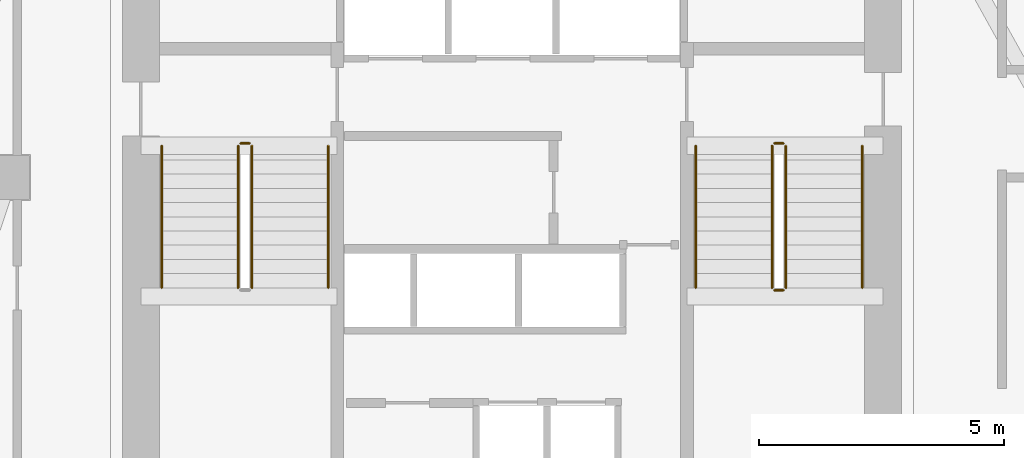
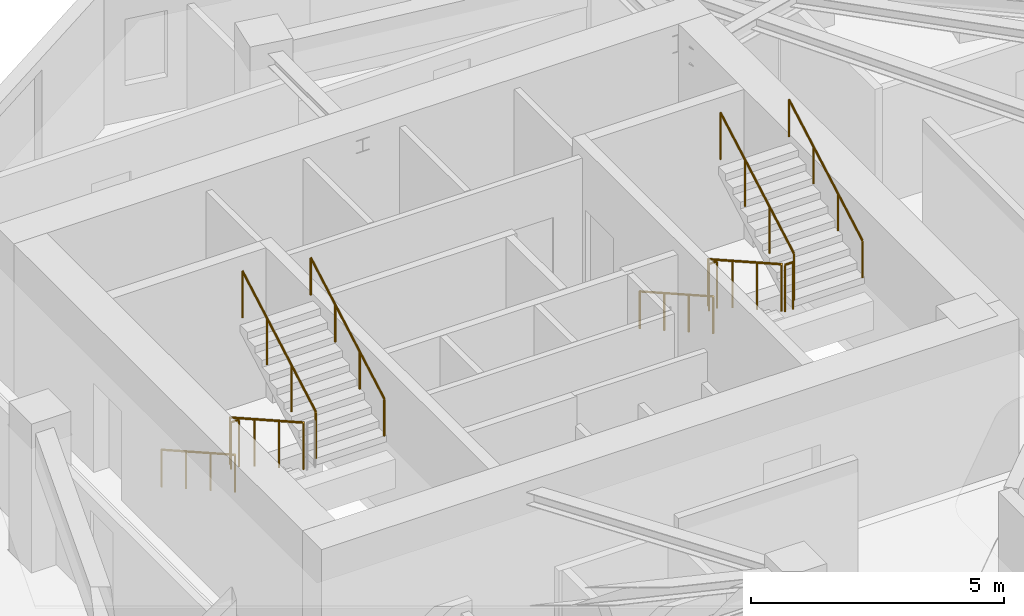
# One storey, part 12 of 12: 11 railings.
"""IFC4 building model written with IfcOpenShell, lengths in metres."""

from ifc_helpers import new_model, si_unit, direction, frame, origin, origin_2d, place, context, subcontext, project, spatial, circle, extrude, material, type_object, element, save


model = new_model("IFC4")

# Units and contexts
model_context = context("Model", 3, precision=1e-05, world=origin(), true_north=direction((0.0, 1.0)))
body_context = subcontext(model_context, "Body", "Model", "MODEL_VIEW")
ifc_project = project(units=[si_unit("LENGTHUNIT", "METRE"), si_unit("AREAUNIT", "SQUARE_METRE"), si_unit("VOLUMEUNIT", "CUBIC_METRE"), si_unit("PLANEANGLEUNIT", "RADIAN"), si_unit("MASSUNIT", "GRAM", prefix="KILO")], contexts=[model_context])

# Site, building, storey
site_placement = place(None, origin())
site = spatial("IfcSite", under=ifc_project, at=site_placement, CompositionType="ELEMENT")
building_placement = place(site_placement, origin())
building = spatial("IfcBuilding", under=site, at=building_placement, Name="Calvemar Wedge Station Tower", CompositionType="ELEMENT")
storey_placement = place(building_placement, frame((0.0, 0.0, 121.39990234375)))
storey = spatial("IfcBuildingStorey", under=building, at=storey_placement, Name="L29", CompositionType="ELEMENT", Elevation=121.39990234375)

# Railings
ifc_material_1 = material(Name="Stainless steel AISI 316L", Category="steel")
railing_type_1 = type_object("IfcRailingType", Name="RL-HANDRAIL-920", PredefinedType="HANDRAIL", material=ifc_material_1)
railing_1_placement = place(storey_placement, frame((16.64990234375, 41.14990234375, 0.163818359375)))
element("IfcRailing", 1, at=railing_1_placement, inside=storey, type_object=railing_type_1, Name="L29 ST-C1 stair handrail 1", PredefinedType="HANDRAIL", context=body_context, shape_type="SweptSolid", body=[
    extrude(circle(Radius=0.02392578125, at=origin_2d()), frame((0.0, 0.0, 0.89599609375), z_axis=(0.0, -0.870928581787, 0.491409610636), x_axis=(1.0, 0.0, 0.0)), (0.0, 0.0, 1.0), 3.32958984375),
    extrude(circle(Radius=0.02099609375, at=origin_2d()), origin(), (0.0, 0.0, 1.0), 0.871826171875),
    extrude(circle(Radius=0.02099609375, at=origin_2d()), frame((0.0, -0.966552734375, 0.54541015625)), (0.0, 0.0, 1.0), 0.871826171875),
    extrude(circle(Radius=0.02099609375, at=origin_2d()), frame((0.0, -1.933349609375, 1.0908203125)), (0.0, 0.0, 1.0), 0.871826171875),
    extrude(circle(Radius=0.02099609375, at=origin_2d()), frame((0.0, -2.89990234375, 1.63623046875)), (0.0, 0.0, 1.0), 0.871826171875),
])
railing_2_placement = place(storey_placement, frame((20.050048828125, 38.25, 1.963623046875)))
element("IfcRailing", 2, at=railing_2_placement, inside=storey, type_object=railing_type_1, Name="L29 ST-C1 stair handrail 2", PredefinedType="HANDRAIL", context=body_context, shape_type="SweptSolid", body=[
    extrude(circle(Radius=0.02392578125, at=origin_2d()), frame((0.0, 0.0, 0.89599609375), z_axis=(0.0, 0.870897200241, 0.491465224214), x_axis=(-1.0, 0.0, 0.0)), (0.0, 0.0, 1.0), 3.329833984375),
    extrude(circle(Radius=0.02099609375, at=origin_2d()), origin(), (0.0, 0.0, 1.0), 0.871826171875),
    extrude(circle(Radius=0.02099609375, at=origin_2d()), frame((0.0, 0.966552734375, 0.54541015625)), (0.0, 0.0, 1.0), 0.871826171875),
    extrude(circle(Radius=0.02099609375, at=origin_2d()), frame((0.0, 1.933349609375, 1.091064453125)), (0.0, 0.0, 1.0), 0.871826171875),
    extrude(circle(Radius=0.02099609375, at=origin_2d()), frame((0.0, 2.89990234375, 1.636474609375)), (0.0, 0.0, 1.0), 0.871826171875),
])
railing_3_placement = place(storey_placement, frame((27.550048828125, 41.14990234375, 0.163818359375)))
element("IfcRailing", 3, at=railing_3_placement, inside=storey, type_object=railing_type_1, Name="L29 ST-C2 stair handrail 1", PredefinedType="HANDRAIL", context=body_context, shape_type="SweptSolid", body=[
    extrude(circle(Radius=0.02392578125, at=origin_2d()), frame((0.0, 0.0, 0.89599609375), z_axis=(0.0, -0.870928581787, 0.491409610636), x_axis=(1.0, 0.0, 0.0)), (0.0, 0.0, 1.0), 3.32958984375),
    extrude(circle(Radius=0.02099609375, at=origin_2d()), origin(), (0.0, 0.0, 1.0), 0.871826171875),
    extrude(circle(Radius=0.02099609375, at=origin_2d()), frame((0.0, -0.966552734375, 0.54541015625)), (0.0, 0.0, 1.0), 0.871826171875),
    extrude(circle(Radius=0.02099609375, at=origin_2d()), frame((0.0, -1.933349609375, 1.0908203125)), (0.0, 0.0, 1.0), 0.871826171875),
    extrude(circle(Radius=0.02099609375, at=origin_2d()), frame((0.0, -2.89990234375, 1.63623046875)), (0.0, 0.0, 1.0), 0.871826171875),
])
railing_4_placement = place(storey_placement, frame((30.949951171875, 38.25, 1.963623046875)))
element("IfcRailing", 4, at=railing_4_placement, inside=storey, type_object=railing_type_1, Name="L29 ST-C2 stair handrail 2", PredefinedType="HANDRAIL", context=body_context, shape_type="SweptSolid", body=[
    extrude(circle(Radius=0.02392578125, at=origin_2d()), frame((0.0, 0.0, 0.89599609375), z_axis=(0.0, 0.870897200241, 0.491465224214), x_axis=(-1.0, 0.0, 0.0)), (0.0, 0.0, 1.0), 3.329833984375),
    extrude(circle(Radius=0.02099609375, at=origin_2d()), origin(), (0.0, 0.0, 1.0), 0.871826171875),
    extrude(circle(Radius=0.02099609375, at=origin_2d()), frame((0.0, 0.966552734375, 0.54541015625)), (0.0, 0.0, 1.0), 0.871826171875),
    extrude(circle(Radius=0.02099609375, at=origin_2d()), frame((0.0, 1.933349609375, 1.091064453125)), (0.0, 0.0, 1.0), 0.871826171875),
    extrude(circle(Radius=0.02099609375, at=origin_2d()), frame((0.0, 2.89990234375, 1.636474609375)), (0.0, 0.0, 1.0), 0.871826171875),
])
ifc_material_2 = material(Name="Painted steel guardrail ASTM A500 Grade C", Category="steel")
railing_type_2 = type_object("IfcRailingType", Name="RL-STAIR-GUARD-1150", PredefinedType="GUARDRAIL", material=ifc_material_2)
railing_5_placement = place(storey_placement, frame((18.2099609375, 41.14990234375, 0.163818359375)))
element("IfcRailing", 5, at=railing_5_placement, inside=storey, type_object=railing_type_2, Name="L29 ST-C1 stair guard 1", PredefinedType="GUARDRAIL", context=body_context, shape_type="SweptSolid", body=[
    extrude(circle(Radius=0.02392578125, at=origin_2d()), frame((0.0, 0.0, 1.1259765625), z_axis=(0.0, -0.870928581787, 0.491409610636), x_axis=(1.0, 0.0, 0.0)), (0.0, 0.0, 1.0), 3.32958984375),
    extrude(circle(Radius=0.02099609375, at=origin_2d()), origin(), (0.0, 0.0, 1.0), 1.101806640625),
    extrude(circle(Radius=0.02099609375, at=origin_2d()), frame((0.0, -0.966552734375, 0.54541015625)), (0.0, 0.0, 1.0), 1.101806640625),
    extrude(circle(Radius=0.02099609375, at=origin_2d()), frame((0.0, -1.933349609375, 1.0908203125)), (0.0, 0.0, 1.0), 1.101806640625),
    extrude(circle(Radius=0.02099609375, at=origin_2d()), frame((0.0, -2.89990234375, 1.63623046875)), (0.0, 0.0, 1.0), 1.101806640625),
])
railing_6_placement = place(storey_placement, frame((18.489990234375, 38.25, 1.963623046875)))
element("IfcRailing", 6, at=railing_6_placement, inside=storey, type_object=railing_type_2, Name="L29 ST-C1 stair guard 3", PredefinedType="GUARDRAIL", context=body_context, shape_type="SweptSolid", body=[
    extrude(circle(Radius=0.02392578125, at=origin_2d()), frame((0.0, 0.0, 1.1259765625), z_axis=(0.0, 0.870897200241, 0.491465224214), x_axis=(-1.0, 0.0, 0.0)), (0.0, 0.0, 1.0), 3.329833984375),
    extrude(circle(Radius=0.02099609375, at=origin_2d()), origin(), (0.0, 0.0, 1.0), 1.101806640625),
    extrude(circle(Radius=0.02099609375, at=origin_2d()), frame((0.0, 0.966552734375, 0.54541015625)), (0.0, 0.0, 1.0), 1.101806640625),
    extrude(circle(Radius=0.02099609375, at=origin_2d()), frame((0.0, 1.933349609375, 1.091064453125)), (0.0, 0.0, 1.0), 1.101806640625),
    extrude(circle(Radius=0.02099609375, at=origin_2d()), frame((0.0, 2.89990234375, 1.636474609375)), (0.0, 0.0, 1.0), 1.101806640625),
])
railing_7_placement = place(storey_placement, frame((18.260009765625, 41.199951171875, 0.0)))
element("IfcRailing", 7, at=railing_7_placement, inside=storey, type_object=railing_type_2, Name="L29 ST-C1 stair guard 4", PredefinedType="GUARDRAIL", context=body_context, shape_type="SweptSolid", body=[
    extrude(circle(Radius=0.02392578125, at=origin_2d()), frame((0.0, 0.0, 1.1259765625), z_axis=(1.0, 0.0, 0.0), x_axis=(0.0, 1.0, 0.0)), (0.0, 0.0, 1.0), 0.179931640625),
    extrude(circle(Radius=0.02099609375, at=origin_2d()), origin(), (0.0, 0.0, 1.0), 1.101806640625),
    extrude(circle(Radius=0.02099609375, at=origin_2d()), frame((0.179931640625, 0.0, 0.0)), (0.0, 0.0, 1.0), 1.101806640625),
])
railing_8_placement = place(storey_placement, frame((29.110107421875, 41.14990234375, 0.163818359375)))
element("IfcRailing", 8, at=railing_8_placement, inside=storey, type_object=railing_type_2, Name="L29 ST-C2 stair guard 1", PredefinedType="GUARDRAIL", context=body_context, shape_type="SweptSolid", body=[
    extrude(circle(Radius=0.02392578125, at=origin_2d()), frame((0.0, 0.0, 1.1259765625), z_axis=(0.0, -0.870928581787, 0.491409610636), x_axis=(1.0, 0.0, 0.0)), (0.0, 0.0, 1.0), 3.32958984375),
    extrude(circle(Radius=0.02099609375, at=origin_2d()), origin(), (0.0, 0.0, 1.0), 1.101806640625),
    extrude(circle(Radius=0.02099609375, at=origin_2d()), frame((0.0, -0.966552734375, 0.54541015625)), (0.0, 0.0, 1.0), 1.101806640625),
    extrude(circle(Radius=0.02099609375, at=origin_2d()), frame((0.0, -1.933349609375, 1.0908203125)), (0.0, 0.0, 1.0), 1.101806640625),
    extrude(circle(Radius=0.02099609375, at=origin_2d()), frame((0.0, -2.89990234375, 1.63623046875)), (0.0, 0.0, 1.0), 1.101806640625),
])
railing_9_placement = place(storey_placement, frame((29.159912109375, 38.199951171875, 1.800048828125)))
element("IfcRailing", 9, at=railing_9_placement, inside=storey, type_object=railing_type_2, Name="L29 ST-C2 stair guard 2", PredefinedType="GUARDRAIL", context=body_context, shape_type="SweptSolid", body=[
    extrude(circle(Radius=0.02392578125, at=origin_2d()), frame((0.0, 0.0, 1.1259765625), z_axis=(1.0, 0.0, 0.0), x_axis=(0.0, 1.0, 0.0)), (0.0, 0.0, 1.0), 0.18017578125),
    extrude(circle(Radius=0.02099609375, at=origin_2d()), origin(), (0.0, 0.0, 1.0), 1.101806640625),
    extrude(circle(Radius=0.02099609375, at=origin_2d()), frame((0.18017578125, 0.0, 0.0)), (0.0, 0.0, 1.0), 1.101806640625),
])
railing_10_placement = place(storey_placement, frame((29.389892578125, 38.25, 1.963623046875)))
element("IfcRailing", 10, at=railing_10_placement, inside=storey, type_object=railing_type_2, Name="L29 ST-C2 stair guard 3", PredefinedType="GUARDRAIL", context=body_context, shape_type="SweptSolid", body=[
    extrude(circle(Radius=0.02392578125, at=origin_2d()), frame((0.0, 0.0, 1.1259765625), z_axis=(0.0, 0.870897200241, 0.491465224214), x_axis=(-1.0, 0.0, 0.0)), (0.0, 0.0, 1.0), 3.329833984375),
    extrude(circle(Radius=0.02099609375, at=origin_2d()), origin(), (0.0, 0.0, 1.0), 1.101806640625),
    extrude(circle(Radius=0.02099609375, at=origin_2d()), frame((0.0, 0.966552734375, 0.54541015625)), (0.0, 0.0, 1.0), 1.101806640625),
    extrude(circle(Radius=0.02099609375, at=origin_2d()), frame((0.0, 1.933349609375, 1.091064453125)), (0.0, 0.0, 1.0), 1.101806640625),
    extrude(circle(Radius=0.02099609375, at=origin_2d()), frame((0.0, 2.89990234375, 1.636474609375)), (0.0, 0.0, 1.0), 1.101806640625),
])
railing_11_placement = place(storey_placement, frame((29.159912109375, 41.199951171875, 0.0)))
element("IfcRailing", 11, at=railing_11_placement, inside=storey, type_object=railing_type_2, Name="L29 ST-C2 stair guard 4", PredefinedType="GUARDRAIL", context=body_context, shape_type="SweptSolid", body=[
    extrude(circle(Radius=0.02392578125, at=origin_2d()), frame((0.0, 0.0, 1.1259765625), z_axis=(1.0, 0.0, 0.0), x_axis=(0.0, 1.0, 0.0)), (0.0, 0.0, 1.0), 0.18017578125),
    extrude(circle(Radius=0.02099609375, at=origin_2d()), origin(), (0.0, 0.0, 1.0), 1.101806640625),
    extrude(circle(Radius=0.02099609375, at=origin_2d()), frame((0.18017578125, 0.0, 0.0)), (0.0, 0.0, 1.0), 1.101806640625),
])

save(model, "model.ifc")
